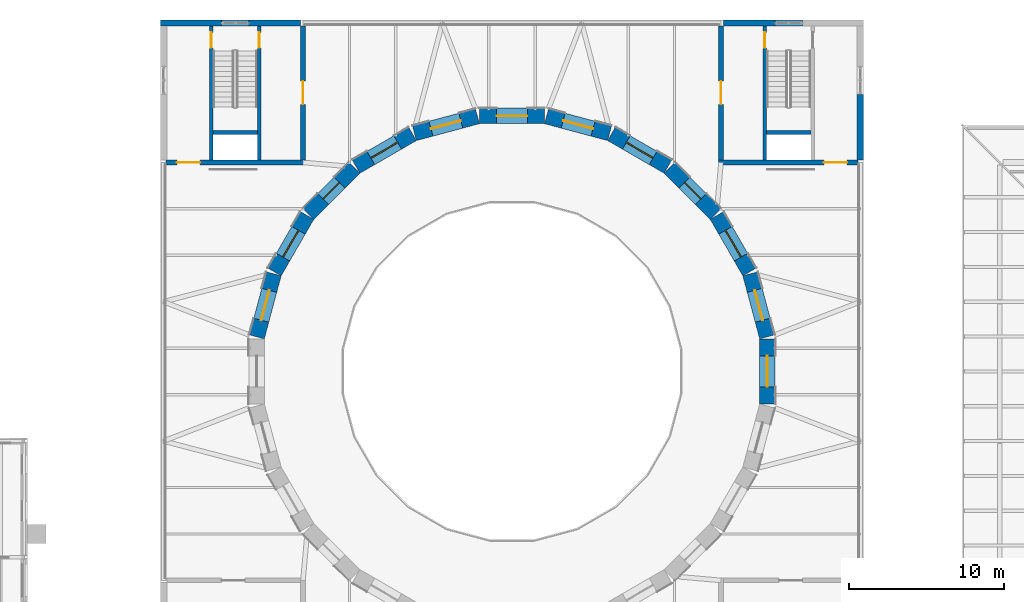
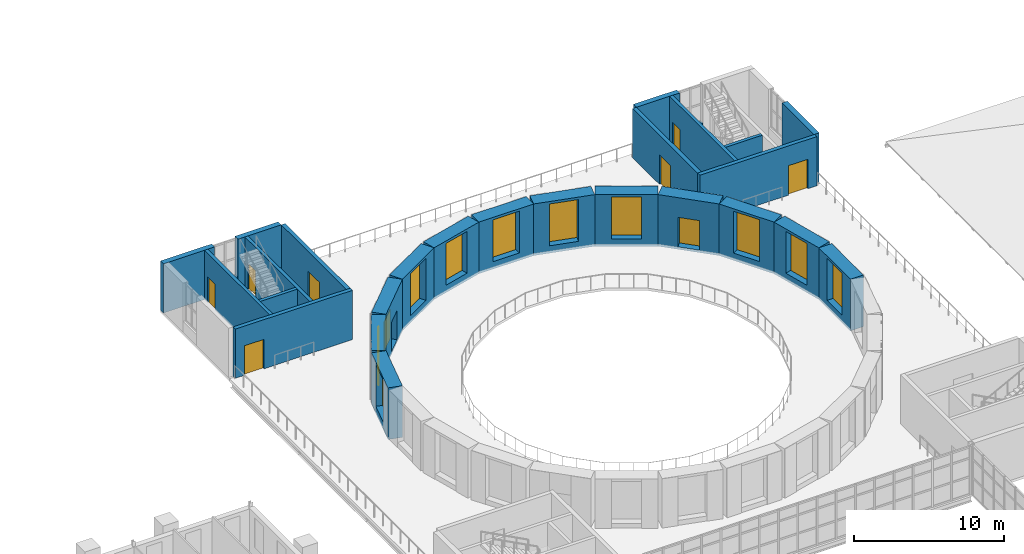
# One storey, part 115 of 154: 27 walls, 10 windows, 9 doors, 19 openings.
"""IFC4 building model written with IfcOpenShell, lengths in metres."""

from ifc_helpers import new_model, si_unit, direction, frame, frame_2d, origin, place, context, subcontext, project, spatial, rectangle, extrude, material, layer, layer_set, type_object, element, fill, save


model = new_model("IFC4")

# Units and contexts
model_context = context("Model", 3, precision=1e-05, world=origin(), true_north=direction((0.0, 1.0)))
body_context = subcontext(model_context, "Body", "Model", "MODEL_VIEW")
ifc_project = project(units=[si_unit("LENGTHUNIT", "METRE"), si_unit("AREAUNIT", "SQUARE_METRE"), si_unit("VOLUMEUNIT", "CUBIC_METRE"), si_unit("PLANEANGLEUNIT", "RADIAN"), si_unit("MASSUNIT", "GRAM", prefix="KILO")], contexts=[model_context])

# Site, building, storey
site_placement = place(None, origin())
site = spatial("IfcSite", under=ifc_project, at=site_placement, CompositionType="ELEMENT")
building_placement = place(site_placement, origin())
building = spatial("IfcBuilding", under=site, at=building_placement, Name="Golden Quay Civic Hall", CompositionType="ELEMENT")
storey_placement = place(building_placement, frame((0.0, 0.0, 14.39990234375)))
storey = spatial("IfcBuildingStorey", under=building, at=storey_placement, Name="L03", CompositionType="ELEMENT", Elevation=14.39990234375)

# Wall, opening, window
ifc_material_1 = material(Name="Concrete C40/50", Category="concrete")
ifc_layer_1 = layer(ifc_material_1, 1.0)
ifc_layer_set_1 = layer_set([ifc_layer_1], Name="Reinforced concrete drum wall 1000, Concrete C40/50")
wall_type_1 = type_object("IfcWallType", Name="Reinforced concrete drum wall 1000", PredefinedType="SHEAR", material=ifc_layer_set_1)
wall_1_placement = place(storey_placement, frame((101.98291015625, 87.73583984375, -0.199951171875), z_axis=(0.0, 0.0, 1.0), x_axis=(-0.258809467323, 0.965928392597, 0.0)))
wall_1 = element("IfcWall", 1, at=wall_1_placement, inside=storey, type_object=wall_type_1, Name="Council drum wall 1", PredefinedType="SHEAR", context=body_context, shape_type="SweptSolid", body=[
    extrude(rectangle(XDim=4.212890625, YDim=1.0, at=frame_2d((2.1064453125, 0.0))), origin(), (0.0, 0.0, 1.0), 4.199951171875),
])
opening_1_placement = place(wall_1_placement, frame((1.1064453125, 0.0, 0.60009765625)))
opening_1 = element("IfcOpeningElement", 2, at=opening_1_placement, cuts=wall_1, Name="Opening WN16", PredefinedType="OPENING", context=body_context, shape_type="SweptSolid", body=[
    extrude(rectangle(XDim=2.0, YDim=3.39990234375, at=frame_2d((1.0, 1.699951171875))), frame((0.0, 0.510009765625, 0.0), z_axis=(0.0, -1.0, 0.0), x_axis=(1.0, 0.0, 0.0)), (0.0, 0.0, 1.0), 1.02001953125),
])
ifc_material_2 = material(Name="Aluminium frame, double glazed", Category="aluminium")
window_type = type_object("IfcWindowType", Name="Drum window 2000 x 3400", PartitioningType="SINGLE_PANEL", PredefinedType="WINDOW", material=ifc_material_2)
window_1_placement = place(opening_1_placement, origin())
window_1 = element("IfcWindow", 3, at=window_1_placement, inside=storey, type_object=window_type, Name="Gallery window 1", OverallHeight=3.39990234375, OverallWidth=2.0, PartitioningType="SINGLE_PANEL", PredefinedType="WINDOW", context=body_context, shape_type="SweptSolid", body=[
    extrude(rectangle(XDim=2.0, YDim=3.39990234375, at=frame_2d((1.0, 1.699951171875))), frame((0.0, 0.030029296875, 0.0), z_axis=(0.0, -1.0, 0.0), x_axis=(1.0, 0.0, 0.0)), (0.0, 0.0, 1.0), 0.06005859375),
])
fill(opening_1, window_1)

wall_2_placement = place(storey_placement, frame((100.842529296875, 91.92578125, -0.199951171875), z_axis=(0.0, 0.0, 1.0), x_axis=(-0.500003371769, 0.866023457084, 0.0)))
wall_2 = element("IfcWall", 4, at=wall_2_placement, inside=storey, type_object=wall_type_1, Name="Council drum wall 2", PredefinedType="SHEAR", context=body_context, shape_type="SweptSolid", body=[
    extrude(rectangle(XDim=4.212890625, YDim=1.0, at=frame_2d((2.1064453125, 0.0))), origin(), (0.0, 0.0, 1.0), 4.199951171875),
])
opening_2_placement = place(wall_2_placement, frame((1.1064453125, 0.0, 0.60009765625)))
opening_2 = element("IfcOpeningElement", 5, at=opening_2_placement, cuts=wall_2, Name="Opening WN16", PredefinedType="OPENING", context=body_context, shape_type="SweptSolid", body=[
    extrude(rectangle(XDim=2.0, YDim=3.39990234375, at=frame_2d((1.0, 1.699951171875))), frame((0.0, 0.510009765625, 0.0), z_axis=(0.0, -1.0, 0.0), x_axis=(1.0, 0.0, 0.0)), (0.0, 0.0, 1.0), 1.02001953125),
])
window_2_placement = place(opening_2_placement, origin())
window_2 = element("IfcWindow", 6, at=window_2_placement, inside=storey, type_object=window_type, Name="Gallery window 2", OverallHeight=3.39990234375, OverallWidth=2.0, PartitioningType="SINGLE_PANEL", PredefinedType="WINDOW", context=body_context, shape_type="SweptSolid", body=[
    extrude(rectangle(XDim=2.0, YDim=3.39990234375, at=frame_2d((1.0, 1.699951171875))), frame((0.0, 0.030029296875, 0.0), z_axis=(0.0, -1.0, 0.0), x_axis=(1.0, 0.0, 0.0)), (0.0, 0.0, 1.0), 0.06005859375),
])
fill(opening_2, window_2)

# Wall, opening, door
wall_3_placement = place(storey_placement, frame((98.65673828125, 95.677734375, -0.199951171875), z_axis=(0.0, 0.0, 1.0), x_axis=(-0.707106781187, 0.707106781187, 0.0)))
wall_3 = element("IfcWall", 7, at=wall_3_placement, inside=storey, type_object=wall_type_1, Name="Council drum wall 3", PredefinedType="SHEAR", context=body_context, shape_type="SweptSolid", body=[
    extrude(rectangle(XDim=4.212890625, YDim=1.0, at=frame_2d((2.1064453125, 0.0))), origin(), (0.0, 0.0, 1.0), 4.199951171875),
])
opening_3_placement = place(wall_3_placement, frame((1.3564453125, 0.0, 0.199951171875)))
opening_3 = element("IfcOpeningElement", 8, at=opening_3_placement, cuts=wall_3, Name="Opening L03-D002", PredefinedType="OPENING", context=body_context, shape_type="SweptSolid", body=[
    extrude(rectangle(XDim=1.5, YDim=2.39990234375, at=frame_2d((0.75, 1.199951171875))), frame((0.0, 0.510009765625, 0.0), z_axis=(0.0, -1.0, 0.0), x_axis=(1.0, 0.0, 0.0)), (0.0, 0.0, 1.0), 1.02001953125),
])
ifc_material_3 = material(Name="Timber", Category="wood")
door_type_1 = type_object("IfcDoorType", Name="Timber chamber door 1500 x 2400", OperationType="DOUBLE_DOOR_SINGLE_SWING", PredefinedType="DOOR", material=ifc_material_3)
door_1_placement = place(opening_3_placement, frame((1.5, 0.0, 0.0), z_axis=(0.0, 0.0, 1.0), x_axis=(-1.0, 0.0, 0.0)))
door_1 = element("IfcDoor", 9, at=door_1_placement, inside=storey, type_object=door_type_1, Name="Gallery door", OperationType="DOUBLE_DOOR_SINGLE_SWING", OverallHeight=2.39990234375, OverallWidth=1.5, PredefinedType="DOOR", context=body_context, shape_type="SweptSolid", body=[
    extrude(rectangle(XDim=1.5, YDim=2.39990234375, at=frame_2d((0.75, 1.199951171875))), frame((0.0, 0.025146484375, 0.0), z_axis=(0.0, -1.0, 0.0), x_axis=(1.0, 0.0, 0.0)), (0.0, 0.0, 1.0), 0.050048828125),
])
fill(opening_3, door_1)

# Wall, opening, window
wall_4_placement = place(storey_placement, frame((95.57421875, 98.736083984375, -0.199951171875), z_axis=(0.0, 0.0, 1.0), x_axis=(-0.866023457084, 0.500003371769, 0.0)))
wall_4 = element("IfcWall", 10, at=wall_4_placement, inside=storey, type_object=wall_type_1, Name="Council drum wall 4", PredefinedType="SHEAR", context=body_context, shape_type="SweptSolid", body=[
    extrude(rectangle(XDim=4.212890625, YDim=1.0, at=frame_2d((2.1064453125, 0.0))), origin(), (0.0, 0.0, 1.0), 4.199951171875),
])
opening_4_placement = place(wall_4_placement, frame((1.1064453125, 0.0, 0.60009765625)))
opening_4 = element("IfcOpeningElement", 11, at=opening_4_placement, cuts=wall_4, Name="Opening WN16", PredefinedType="OPENING", context=body_context, shape_type="SweptSolid", body=[
    extrude(rectangle(XDim=2.0, YDim=3.39990234375, at=frame_2d((1.0, 1.699951171875))), frame((0.0, 0.510009765625, 0.0), z_axis=(0.0, -1.0, 0.0), x_axis=(1.0, 0.0, 0.0)), (0.0, 0.0, 1.0), 1.02001953125),
])
window_3_placement = place(opening_4_placement, origin())
window_3 = element("IfcWindow", 12, at=window_3_placement, inside=storey, type_object=window_type, Name="Gallery window 4", OverallHeight=3.39990234375, OverallWidth=2.0, PartitioningType="SINGLE_PANEL", PredefinedType="WINDOW", context=body_context, shape_type="SweptSolid", body=[
    extrude(rectangle(XDim=2.0, YDim=3.39990234375, at=frame_2d((1.0, 1.699951171875))), frame((0.0, 0.030029296875, 0.0), z_axis=(0.0, -1.0, 0.0), x_axis=(1.0, 0.0, 0.0)), (0.0, 0.0, 1.0), 0.06005859375),
])
fill(opening_4, window_3)

wall_5_placement = place(storey_placement, frame((91.80517578125, 100.892578125, -0.199951171875), z_axis=(0.0, 0.0, 1.0), x_axis=(-0.965928392597, 0.258809467323, 0.0)))
wall_5 = element("IfcWall", 13, at=wall_5_placement, inside=storey, type_object=wall_type_1, Name="Council drum wall 5", PredefinedType="SHEAR", context=body_context, shape_type="SweptSolid", body=[
    extrude(rectangle(XDim=4.212890625, YDim=1.0, at=frame_2d((2.1064453125, 0.0))), origin(), (0.0, 0.0, 1.0), 4.199951171875),
])
opening_5_placement = place(wall_5_placement, frame((1.1064453125, 0.0, 0.60009765625)))
opening_5 = element("IfcOpeningElement", 14, at=opening_5_placement, cuts=wall_5, Name="Opening WN16", PredefinedType="OPENING", context=body_context, shape_type="SweptSolid", body=[
    extrude(rectangle(XDim=2.0, YDim=3.39990234375, at=frame_2d((1.0, 1.699951171875))), frame((0.0, 0.510009765625, 0.0), z_axis=(0.0, -1.0, 0.0), x_axis=(1.0, 0.0, 0.0)), (0.0, 0.0, 1.0), 1.02001953125),
])
window_4_placement = place(opening_5_placement, origin())
window_4 = element("IfcWindow", 15, at=window_4_placement, inside=storey, type_object=window_type, Name="Gallery window 5", OverallHeight=3.39990234375, OverallWidth=2.0, PartitioningType="SINGLE_PANEL", PredefinedType="WINDOW", context=body_context, shape_type="SweptSolid", body=[
    extrude(rectangle(XDim=2.0, YDim=3.39990234375, at=frame_2d((1.0, 1.699951171875))), frame((0.0, 0.030029296875, 0.0), z_axis=(0.0, -1.0, 0.0), x_axis=(1.0, 0.0, 0.0)), (0.0, 0.0, 1.0), 0.06005859375),
])
fill(opening_5, window_4)

wall_6_placement = place(storey_placement, frame((87.6064453125, 102.0, -0.199951171875), z_axis=(0.0, 0.0, 1.0), x_axis=(-1.0, 0.0, 0.0)))
wall_6 = element("IfcWall", 16, at=wall_6_placement, inside=storey, type_object=wall_type_1, Name="Council drum wall 6", PredefinedType="SHEAR", context=body_context, shape_type="SweptSolid", body=[
    extrude(rectangle(XDim=4.212890625, YDim=1.0, at=frame_2d((2.1064453125, 0.0))), origin(), (0.0, 0.0, 1.0), 4.199951171875),
])
opening_6_placement = place(wall_6_placement, frame((1.1064453125, 0.0, 0.60009765625)))
opening_6 = element("IfcOpeningElement", 17, at=opening_6_placement, cuts=wall_6, Name="Opening WN16", PredefinedType="OPENING", context=body_context, shape_type="SweptSolid", body=[
    extrude(rectangle(XDim=2.0, YDim=3.39990234375, at=frame_2d((1.0, 1.699951171875))), frame((0.0, 0.510009765625, 0.0), z_axis=(0.0, -1.0, 0.0), x_axis=(1.0, 0.0, 0.0)), (0.0, 0.0, 1.0), 1.02001953125),
])
window_5_placement = place(opening_6_placement, origin())
window_5 = element("IfcWindow", 18, at=window_5_placement, inside=storey, type_object=window_type, Name="Gallery window 6", OverallHeight=3.39990234375, OverallWidth=2.0, PartitioningType="SINGLE_PANEL", PredefinedType="WINDOW", context=body_context, shape_type="SweptSolid", body=[
    extrude(rectangle(XDim=2.0, YDim=3.39990234375, at=frame_2d((1.0, 1.699951171875))), frame((0.0, 0.030029296875, 0.0), z_axis=(0.0, -1.0, 0.0), x_axis=(1.0, 0.0, 0.0)), (0.0, 0.0, 1.0), 0.06005859375),
])
fill(opening_6, window_5)

wall_7_placement = place(storey_placement, frame((83.26416015625, 101.98291015625, -0.199951171875), z_axis=(0.0, 0.0, 1.0), x_axis=(-0.965928392597, -0.258809467323, 0.0)))
wall_7 = element("IfcWall", 19, at=wall_7_placement, inside=storey, type_object=wall_type_1, Name="Council drum wall 7", PredefinedType="SHEAR", context=body_context, shape_type="SweptSolid", body=[
    extrude(rectangle(XDim=4.212890625, YDim=1.0, at=frame_2d((2.1064453125, 0.0))), origin(), (0.0, 0.0, 1.0), 4.199951171875),
])
opening_7_placement = place(wall_7_placement, frame((1.1064453125, 0.0, 0.60009765625)))
opening_7 = element("IfcOpeningElement", 20, at=opening_7_placement, cuts=wall_7, Name="Opening WN16", PredefinedType="OPENING", context=body_context, shape_type="SweptSolid", body=[
    extrude(rectangle(XDim=2.0, YDim=3.39990234375, at=frame_2d((1.0, 1.699951171875))), frame((0.0, 0.510009765625, 0.0), z_axis=(0.0, -1.0, 0.0), x_axis=(1.0, 0.0, 0.0)), (0.0, 0.0, 1.0), 1.02001953125),
])
window_6_placement = place(opening_7_placement, origin())
window_6 = element("IfcWindow", 21, at=window_6_placement, inside=storey, type_object=window_type, Name="Gallery window 7", OverallHeight=3.39990234375, OverallWidth=2.0, PartitioningType="SINGLE_PANEL", PredefinedType="WINDOW", context=body_context, shape_type="SweptSolid", body=[
    extrude(rectangle(XDim=2.0, YDim=3.39990234375, at=frame_2d((1.0, 1.699951171875))), frame((0.0, 0.030029296875, 0.0), z_axis=(0.0, -1.0, 0.0), x_axis=(1.0, 0.0, 0.0)), (0.0, 0.0, 1.0), 0.06005859375),
])
fill(opening_7, window_6)

wall_8_placement = place(storey_placement, frame((79.07421875, 100.842529296875, -0.199951171875), z_axis=(0.0, 0.0, 1.0), x_axis=(-0.866023457084, -0.500003371769, 0.0)))
wall_8 = element("IfcWall", 22, at=wall_8_placement, inside=storey, type_object=wall_type_1, Name="Council drum wall 8", PredefinedType="SHEAR", context=body_context, shape_type="SweptSolid", body=[
    extrude(rectangle(XDim=4.212890625, YDim=1.0, at=frame_2d((2.1064453125, 0.0))), origin(), (0.0, 0.0, 1.0), 4.199951171875),
])
opening_8_placement = place(wall_8_placement, frame((1.1064453125, 0.0, 0.60009765625)))
opening_8 = element("IfcOpeningElement", 23, at=opening_8_placement, cuts=wall_8, Name="Opening WN16", PredefinedType="OPENING", context=body_context, shape_type="SweptSolid", body=[
    extrude(rectangle(XDim=2.0, YDim=3.39990234375, at=frame_2d((1.0, 1.699951171875))), frame((0.0, 0.510009765625, 0.0), z_axis=(0.0, -1.0, 0.0), x_axis=(1.0, 0.0, 0.0)), (0.0, 0.0, 1.0), 1.02001953125),
])
window_7_placement = place(opening_8_placement, origin())
window_7 = element("IfcWindow", 24, at=window_7_placement, inside=storey, type_object=window_type, Name="Gallery window 8", OverallHeight=3.39990234375, OverallWidth=2.0, PartitioningType="SINGLE_PANEL", PredefinedType="WINDOW", context=body_context, shape_type="SweptSolid", body=[
    extrude(rectangle(XDim=2.0, YDim=3.39990234375, at=frame_2d((1.0, 1.699951171875))), frame((0.0, 0.030029296875, 0.0), z_axis=(0.0, -1.0, 0.0), x_axis=(1.0, 0.0, 0.0)), (0.0, 0.0, 1.0), 0.06005859375),
])
fill(opening_8, window_7)

# Wall, opening, door
wall_9_placement = place(storey_placement, frame((75.322265625, 98.65673828125, -0.199951171875), z_axis=(0.0, 0.0, 1.0), x_axis=(-0.707106781187, -0.707106781187, 0.0)))
wall_9 = element("IfcWall", 25, at=wall_9_placement, inside=storey, type_object=wall_type_1, Name="Council drum wall 9", PredefinedType="SHEAR", context=body_context, shape_type="SweptSolid", body=[
    extrude(rectangle(XDim=4.212890625, YDim=1.0, at=frame_2d((2.1064453125, 0.0))), origin(), (0.0, 0.0, 1.0), 4.199951171875),
])
opening_9_placement = place(wall_9_placement, frame((1.3564453125, 0.0, 0.199951171875)))
opening_9 = element("IfcOpeningElement", 26, at=opening_9_placement, cuts=wall_9, Name="Opening L03-D003", PredefinedType="OPENING", context=body_context, shape_type="SweptSolid", body=[
    extrude(rectangle(XDim=1.5, YDim=2.39990234375, at=frame_2d((0.75, 1.199951171875))), frame((0.0, 0.510009765625, 0.0), z_axis=(0.0, -1.0, 0.0), x_axis=(1.0, 0.0, 0.0)), (0.0, 0.0, 1.0), 1.02001953125),
])
door_2_placement = place(opening_9_placement, frame((1.5, 0.0, 0.0), z_axis=(0.0, 0.0, 1.0), x_axis=(-1.0, 0.0, 0.0)))
door_2 = element("IfcDoor", 27, at=door_2_placement, inside=storey, type_object=door_type_1, Name="Gallery door", OperationType="DOUBLE_DOOR_SINGLE_SWING", OverallHeight=2.39990234375, OverallWidth=1.5, PredefinedType="DOOR", context=body_context, shape_type="SweptSolid", body=[
    extrude(rectangle(XDim=1.5, YDim=2.39990234375, at=frame_2d((0.75, 1.199951171875))), frame((0.0, 0.025146484375, 0.0), z_axis=(0.0, -1.0, 0.0), x_axis=(1.0, 0.0, 0.0)), (0.0, 0.0, 1.0), 0.050048828125),
])
fill(opening_9, door_2)

# Wall, opening, window
wall_10_placement = place(storey_placement, frame((72.263916015625, 95.57421875, -0.199951171875), z_axis=(0.0, 0.0, 1.0), x_axis=(-0.500003371769, -0.866023457084, 0.0)))
wall_10 = element("IfcWall", 28, at=wall_10_placement, inside=storey, type_object=wall_type_1, Name="Council drum wall 10", PredefinedType="SHEAR", context=body_context, shape_type="SweptSolid", body=[
    extrude(rectangle(XDim=4.212890625, YDim=1.0, at=frame_2d((2.1064453125, 0.0))), origin(), (0.0, 0.0, 1.0), 4.199951171875),
])
opening_10_placement = place(wall_10_placement, frame((1.1064453125, 0.0, 0.60009765625)))
opening_10 = element("IfcOpeningElement", 29, at=opening_10_placement, cuts=wall_10, Name="Opening WN16", PredefinedType="OPENING", context=body_context, shape_type="SweptSolid", body=[
    extrude(rectangle(XDim=2.0, YDim=3.39990234375, at=frame_2d((1.0, 1.699951171875))), frame((0.0, 0.510009765625, 0.0), z_axis=(0.0, -1.0, 0.0), x_axis=(1.0, 0.0, 0.0)), (0.0, 0.0, 1.0), 1.02001953125),
])
window_8_placement = place(opening_10_placement, origin())
window_8 = element("IfcWindow", 30, at=window_8_placement, inside=storey, type_object=window_type, Name="Gallery window 10", OverallHeight=3.39990234375, OverallWidth=2.0, PartitioningType="SINGLE_PANEL", PredefinedType="WINDOW", context=body_context, shape_type="SweptSolid", body=[
    extrude(rectangle(XDim=2.0, YDim=3.39990234375, at=frame_2d((1.0, 1.699951171875))), frame((0.0, 0.030029296875, 0.0), z_axis=(0.0, -1.0, 0.0), x_axis=(1.0, 0.0, 0.0)), (0.0, 0.0, 1.0), 0.06005859375),
])
fill(opening_10, window_8)

wall_11_placement = place(storey_placement, frame((70.107421875, 91.80517578125, -0.199951171875), z_axis=(0.0, 0.0, 1.0), x_axis=(-0.258809467323, -0.965928392597, 0.0)))
wall_11 = element("IfcWall", 31, at=wall_11_placement, inside=storey, type_object=wall_type_1, Name="Council drum wall 11", PredefinedType="SHEAR", context=body_context, shape_type="SweptSolid", body=[
    extrude(rectangle(XDim=4.212890625, YDim=1.0, at=frame_2d((2.1064453125, 0.0))), origin(), (0.0, 0.0, 1.0), 4.199951171875),
])
opening_11_placement = place(wall_11_placement, frame((1.1064453125, 0.0, 0.60009765625)))
opening_11 = element("IfcOpeningElement", 32, at=opening_11_placement, cuts=wall_11, Name="Opening WN16", PredefinedType="OPENING", context=body_context, shape_type="SweptSolid", body=[
    extrude(rectangle(XDim=2.0, YDim=3.39990234375, at=frame_2d((1.0, 1.699951171875))), frame((0.0, 0.510009765625, 0.0), z_axis=(0.0, -1.0, 0.0), x_axis=(1.0, 0.0, 0.0)), (0.0, 0.0, 1.0), 1.02001953125),
])
window_9_placement = place(opening_11_placement, origin())
window_9 = element("IfcWindow", 33, at=window_9_placement, inside=storey, type_object=window_type, Name="Gallery window 11", OverallHeight=3.39990234375, OverallWidth=2.0, PartitioningType="SINGLE_PANEL", PredefinedType="WINDOW", context=body_context, shape_type="SweptSolid", body=[
    extrude(rectangle(XDim=2.0, YDim=3.39990234375, at=frame_2d((1.0, 1.699951171875))), frame((0.0, 0.030029296875, 0.0), z_axis=(0.0, -1.0, 0.0), x_axis=(1.0, 0.0, 0.0)), (0.0, 0.0, 1.0), 0.06005859375),
])
fill(opening_11, window_9)

wall_12_placement = place(storey_placement, frame((102.0, 83.3935546875, -0.199951171875), z_axis=(0.0, 0.0, 1.0), x_axis=(0.0, 1.0, 0.0)))
wall_12 = element("IfcWall", 34, at=wall_12_placement, inside=storey, type_object=wall_type_1, Name="Council drum wall 24", PredefinedType="SHEAR", context=body_context, shape_type="SweptSolid", body=[
    extrude(rectangle(XDim=4.212890625, YDim=1.0, at=frame_2d((2.1064453125, 0.0))), origin(), (0.0, 0.0, 1.0), 4.199951171875),
])
opening_12_placement = place(wall_12_placement, frame((1.1064453125, 0.0, 0.60009765625)))
opening_12 = element("IfcOpeningElement", 35, at=opening_12_placement, cuts=wall_12, Name="Opening WN16", PredefinedType="OPENING", context=body_context, shape_type="SweptSolid", body=[
    extrude(rectangle(XDim=2.0, YDim=3.39990234375, at=frame_2d((1.0, 1.699951171875))), frame((0.0, 0.510009765625, 0.0), z_axis=(0.0, -1.0, 0.0), x_axis=(1.0, 0.0, 0.0)), (0.0, 0.0, 1.0), 1.02001953125),
])
window_10_placement = place(opening_12_placement, origin())
window_10 = element("IfcWindow", 36, at=window_10_placement, inside=storey, type_object=window_type, Name="Gallery window 24", OverallHeight=3.39990234375, OverallWidth=2.0, PartitioningType="SINGLE_PANEL", PredefinedType="WINDOW", context=body_context, shape_type="SweptSolid", body=[
    extrude(rectangle(XDim=2.0, YDim=3.39990234375, at=frame_2d((1.0, 1.699951171875))), frame((0.0, 0.030029296875, 0.0), z_axis=(0.0, -1.0, 0.0), x_axis=(1.0, 0.0, 0.0)), (0.0, 0.0, 1.0), 0.06005859375),
])
fill(opening_12, window_10)

# Wall, opening, door
ifc_material_4 = material(Name="Concrete C40/50", Category="concrete")
ifc_layer_2 = layer(ifc_material_4, 0.300048828125)
ifc_layer_set_2 = layer_set([ifc_layer_2], Name="Reinforced concrete pocket wall 300, Concrete C40/50")
wall_type_2 = type_object("IfcWallType", Name="Reinforced concrete pocket wall 300", PredefinedType="SHEAR", material=ifc_layer_set_2)
wall_13_placement = place(storey_placement, frame((63.14990234375, 99.0, 0.0), z_axis=(0.0, 0.0, 1.0), x_axis=(1.0, 0.0, 0.0)))
wall_13 = element("IfcWall", 37, at=wall_13_placement, inside=storey, type_object=wall_type_2, Name="Core wall NW A", PredefinedType="SHEAR", context=body_context, shape_type="SweptSolid", body=[
    extrude(rectangle(XDim=9.0, YDim=0.300048828125, at=frame_2d((4.5, 0.0))), origin(), (0.0, 0.0, 1.0), 4.0),
])
opening_13_placement = place(wall_13_placement, frame((0.699951171875, 0.0, 0.0)))
opening_13 = element("IfcOpeningElement", 38, at=opening_13_placement, cuts=wall_13, Name="Opening L03-D137", PredefinedType="OPENING", context=body_context, shape_type="SweptSolid", body=[
    extrude(rectangle(XDim=1.5, YDim=2.39990234375, at=frame_2d((0.75, 1.199951171875))), frame((0.0, 0.159912109375, 0.0), z_axis=(0.0, -1.0, 0.0), x_axis=(1.0, 0.0, 0.0)), (0.0, 0.0, 1.0), 0.320068359375),
])
ifc_material_5 = material(Name="Steel", Category="steel")
door_type_2 = type_object("IfcDoorType", Name="Steel double fire door FD60 1500 x 2400", OperationType="DOUBLE_DOOR_SINGLE_SWING", PredefinedType="DOOR", material=ifc_material_5)
door_3_placement = place(opening_13_placement, frame((1.5, 0.0, 0.0), z_axis=(0.0, 0.0, 1.0), x_axis=(-1.0, 0.0, 0.0)))
door_3 = element("IfcDoor", 39, at=door_3_placement, inside=storey, type_object=door_type_2, Name="Gallery lobby door NW 1", OperationType="DOUBLE_DOOR_SINGLE_SWING", OverallHeight=2.39990234375, OverallWidth=1.5, PredefinedType="DOOR", context=body_context, shape_type="SweptSolid", body=[
    extrude(rectangle(XDim=1.5, YDim=2.39990234375, at=frame_2d((0.75, 1.199951171875))), frame((0.0, 0.025146484375, 0.0), z_axis=(0.0, -1.0, 0.0), x_axis=(1.0, 0.0, 0.0)), (0.0, 0.0, 1.0), 0.050048828125),
])
fill(opening_13, door_3)

wall_14_placement = place(storey_placement, frame((72.0, 107.800048828125, 0.0), z_axis=(0.0, 0.0, 1.0), x_axis=(0.0, -1.0, 0.0)))
wall_14 = element("IfcWall", 40, at=wall_14_placement, inside=storey, type_object=wall_type_2, Name="Core wall NW B", PredefinedType="SHEAR", context=body_context, shape_type="SweptSolid", body=[
    extrude(rectangle(XDim=8.650146484375, YDim=0.300048828125, at=frame_2d((4.3251953125, 0.0))), origin(), (0.0, 0.0, 1.0), 4.0),
])
opening_14_placement = place(wall_14_placement, frame((3.550048828125, 0.0, 0.0)))
opening_14 = element("IfcOpeningElement", 41, at=opening_14_placement, cuts=wall_14, Name="Opening L03-D138", PredefinedType="OPENING", context=body_context, shape_type="SweptSolid", body=[
    extrude(rectangle(XDim=1.5, YDim=2.39990234375, at=frame_2d((0.75, 1.199951171875))), frame((0.0, 0.159912109375, 0.0), z_axis=(0.0, -1.0, 0.0), x_axis=(1.0, 0.0, 0.0)), (0.0, 0.0, 1.0), 0.320068359375),
])
door_4_placement = place(opening_14_placement, origin())
door_4 = element("IfcDoor", 42, at=door_4_placement, inside=storey, type_object=door_type_2, Name="Gallery lobby door NW 2", OperationType="DOUBLE_DOOR_SINGLE_SWING", OverallHeight=2.39990234375, OverallWidth=1.5, PredefinedType="DOOR", context=body_context, shape_type="SweptSolid", body=[
    extrude(rectangle(XDim=1.5, YDim=2.39990234375, at=frame_2d((0.75, 1.199951171875))), frame((0.0, 0.02490234375, 0.0), z_axis=(0.0, -1.0, 0.0), x_axis=(1.0, 0.0, 0.0)), (0.0, 0.0, 1.0), 0.050048828125),
])
fill(opening_14, door_4)

wall_15_placement = place(storey_placement, frame((107.85009765625, 99.0, 0.0), z_axis=(0.0, 0.0, 1.0), x_axis=(-1.0, 0.0, 0.0)))
wall_15 = element("IfcWall", 43, at=wall_15_placement, inside=storey, type_object=wall_type_2, Name="Core wall NE A", PredefinedType="SHEAR", context=body_context, shape_type="SweptSolid", body=[
    extrude(rectangle(XDim=9.0, YDim=0.300048828125, at=frame_2d((4.5, 0.0))), origin(), (0.0, 0.0, 1.0), 4.0),
])
opening_15_placement = place(wall_15_placement, frame((0.699951171875, 0.0, 0.0)))
opening_15 = element("IfcOpeningElement", 44, at=opening_15_placement, cuts=wall_15, Name="Opening L03-D141", PredefinedType="OPENING", context=body_context, shape_type="SweptSolid", body=[
    extrude(rectangle(XDim=1.5, YDim=2.39990234375, at=frame_2d((0.75, 1.199951171875))), frame((0.0, 0.159912109375, 0.0), z_axis=(0.0, -1.0, 0.0), x_axis=(1.0, 0.0, 0.0)), (0.0, 0.0, 1.0), 0.320068359375),
])
door_5_placement = place(opening_15_placement, origin())
door_5 = element("IfcDoor", 45, at=door_5_placement, inside=storey, type_object=door_type_2, Name="Gallery lobby door NE 1", OperationType="DOUBLE_DOOR_SINGLE_SWING", OverallHeight=2.39990234375, OverallWidth=1.5, PredefinedType="DOOR", context=body_context, shape_type="SweptSolid", body=[
    extrude(rectangle(XDim=1.5, YDim=2.39990234375, at=frame_2d((0.75, 1.199951171875))), frame((0.0, 0.02490234375, 0.0), z_axis=(0.0, -1.0, 0.0), x_axis=(1.0, 0.0, 0.0)), (0.0, 0.0, 1.0), 0.050048828125),
])
fill(opening_15, door_5)

wall_16_placement = place(storey_placement, frame((99.0, 107.800048828125, 0.0), z_axis=(0.0, 0.0, 1.0), x_axis=(0.0, -1.0, 0.0)))
wall_16 = element("IfcWall", 46, at=wall_16_placement, inside=storey, type_object=wall_type_2, Name="Core wall NE B", PredefinedType="SHEAR", context=body_context, shape_type="SweptSolid", body=[
    extrude(rectangle(XDim=8.650146484375, YDim=0.300048828125, at=frame_2d((4.3251953125, 0.0))), origin(), (0.0, 0.0, 1.0), 4.0),
])
opening_16_placement = place(wall_16_placement, frame((3.550048828125, 0.0, 0.0)))
opening_16 = element("IfcOpeningElement", 47, at=opening_16_placement, cuts=wall_16, Name="Opening L03-D142", PredefinedType="OPENING", context=body_context, shape_type="SweptSolid", body=[
    extrude(rectangle(XDim=1.5, YDim=2.39990234375, at=frame_2d((0.75, 1.199951171875))), frame((0.0, 0.159912109375, 0.0), z_axis=(0.0, -1.0, 0.0), x_axis=(1.0, 0.0, 0.0)), (0.0, 0.0, 1.0), 0.320068359375),
])
door_6_placement = place(opening_16_placement, frame((1.5, 0.0, 0.0), z_axis=(0.0, 0.0, 1.0), x_axis=(-1.0, 0.0, 0.0)))
door_6 = element("IfcDoor", 48, at=door_6_placement, inside=storey, type_object=door_type_2, Name="Gallery lobby door NE 2", OperationType="DOUBLE_DOOR_SINGLE_SWING", OverallHeight=2.39990234375, OverallWidth=1.5, PredefinedType="DOOR", context=body_context, shape_type="SweptSolid", body=[
    extrude(rectangle(XDim=1.5, YDim=2.39990234375, at=frame_2d((0.75, 1.199951171875))), frame((0.0, 0.025146484375, 0.0), z_axis=(0.0, -1.0, 0.0), x_axis=(1.0, 0.0, 0.0)), (0.0, 0.0, 1.0), 0.050048828125),
])
fill(opening_16, door_6)

ifc_material_6 = material(Name="Concrete C40/50", Category="concrete")
ifc_layer_3 = layer(ifc_material_6, 0.25)
ifc_layer_set_3 = layer_set([ifc_layer_3], Name="Reinforced concrete shaft wall 250, Concrete C40/50")
wall_type_3 = type_object("IfcWallType", Name="Reinforced concrete shaft wall 250", PredefinedType="SHEAR", material=ifc_layer_set_3)
wall_17_placement = place(storey_placement, frame((66.074951171875, 107.800048828125, 0.0), z_axis=(0.0, 0.0, 1.0), x_axis=(0.0, -1.0, 0.0)))
wall_17 = element("IfcWall", 49, at=wall_17_placement, inside=storey, type_object=wall_type_3, Name="Shaft wall NW 1", PredefinedType="SHEAR", context=body_context, shape_type="SweptSolid", body=[
    extrude(rectangle(XDim=8.650146484375, YDim=0.25, at=frame_2d((4.3251953125, 0.0))), origin(), (0.0, 0.0, 1.0), 4.0),
])
opening_17_placement = place(wall_17_placement, frame((0.39990234375, 0.0, 0.0)))
opening_17 = element("IfcOpeningElement", 50, at=opening_17_placement, cuts=wall_17, Name="Opening L03-D136", PredefinedType="OPENING", context=body_context, shape_type="SweptSolid", body=[
    extrude(rectangle(XDim=1.0, YDim=2.10009765625, at=frame_2d((0.5, 1.050048828125))), frame((0.0, 0.135009765625, 0.0), z_axis=(0.0, -1.0, 0.0), x_axis=(1.0, 0.0, 0.0)), (0.0, 0.0, 1.0), 0.27001953125),
])
ifc_material_7 = material(Name="Steel", Category="steel")
door_type_3 = type_object("IfcDoorType", Name="Steel fire door FD60 1100 x 2100", OperationType="SINGLE_SWING_LEFT", PredefinedType="DOOR", material=ifc_material_7)
door_7_placement = place(opening_17_placement, origin())
door_7 = element("IfcDoor", 51, at=door_7_placement, inside=storey, type_object=door_type_3, Name="Stair door NW", OperationType="SINGLE_SWING_LEFT", OverallHeight=2.10009765625, OverallWidth=1.0, PredefinedType="DOOR", context=body_context, shape_type="SweptSolid", body=[
    extrude(rectangle(XDim=1.0, YDim=2.10009765625, at=frame_2d((0.5, 1.050048828125))), frame((0.0, 0.02490234375, 0.0), z_axis=(0.0, -1.0, 0.0), x_axis=(1.0, 0.0, 0.0)), (0.0, 0.0, 1.0), 0.050048828125),
])
fill(opening_17, door_7)

wall_18_placement = place(storey_placement, frame((69.175048828125, 107.800048828125, 0.0), z_axis=(0.0, 0.0, 1.0), x_axis=(0.0, -1.0, 0.0)))
wall_18 = element("IfcWall", 52, at=wall_18_placement, inside=storey, type_object=wall_type_3, Name="Shaft wall NW 2", PredefinedType="SHEAR", context=body_context, shape_type="SweptSolid", body=[
    extrude(rectangle(XDim=8.650146484375, YDim=0.25, at=frame_2d((4.3251953125, 0.0))), origin(), (0.0, 0.0, 1.0), 4.0),
])
opening_18_placement = place(wall_18_placement, frame((0.39990234375, 0.0, 0.0)))
opening_18 = element("IfcOpeningElement", 53, at=opening_18_placement, cuts=wall_18, Name="Opening L03-D139", PredefinedType="OPENING", context=body_context, shape_type="SweptSolid", body=[
    extrude(rectangle(XDim=1.0, YDim=2.10009765625, at=frame_2d((0.5, 1.050048828125))), frame((0.0, 0.135009765625, 0.0), z_axis=(0.0, -1.0, 0.0), x_axis=(1.0, 0.0, 0.0)), (0.0, 0.0, 1.0), 0.27001953125),
])
door_8_placement = place(opening_18_placement, frame((1.0, 0.0, 0.0), z_axis=(0.0, 0.0, 1.0), x_axis=(-1.0, 0.0, 0.0)))
door_8 = element("IfcDoor", 54, at=door_8_placement, inside=storey, type_object=door_type_3, Name="Stair door NW north", OperationType="SINGLE_SWING_RIGHT", OverallHeight=2.10009765625, OverallWidth=1.0, PredefinedType="DOOR", context=body_context, shape_type="SweptSolid", body=[
    extrude(rectangle(XDim=1.0, YDim=2.10009765625, at=frame_2d((0.5, 1.050048828125))), frame((0.0, 0.025146484375, 0.0), z_axis=(0.0, -1.0, 0.0), x_axis=(1.0, 0.0, 0.0)), (0.0, 0.0, 1.0), 0.050048828125),
])
fill(opening_18, door_8)

# Wall
wall_19_placement = place(storey_placement, frame((66.199951171875, 100.925048828125, 0.0), z_axis=(0.0, 0.0, 1.0), x_axis=(1.0, 0.0, 0.0)))
element("IfcWall", 55, at=wall_19_placement, inside=storey, type_object=wall_type_3, Name="Shaft wall NW 3", PredefinedType="SHEAR", context=body_context, shape_type="SweptSolid", body=[
    extrude(rectangle(XDim=2.85009765625, YDim=0.25, at=frame_2d((1.425048828125, 0.0))), origin(), (0.0, 0.0, 1.0), 4.0),
])

# Wall, opening, door
wall_20_placement = place(storey_placement, frame((101.824951171875, 107.800048828125, 0.0), z_axis=(0.0, 0.0, 1.0), x_axis=(0.0, -1.0, 0.0)))
wall_20 = element("IfcWall", 56, at=wall_20_placement, inside=storey, type_object=wall_type_3, Name="Shaft wall NE 2", PredefinedType="SHEAR", context=body_context, shape_type="SweptSolid", body=[
    extrude(rectangle(XDim=8.650146484375, YDim=0.25, at=frame_2d((4.3251953125, 0.0))), origin(), (0.0, 0.0, 1.0), 4.0),
])
opening_19_placement = place(wall_20_placement, frame((0.39990234375, 0.0, 0.0)))
opening_19 = element("IfcOpeningElement", 57, at=opening_19_placement, cuts=wall_20, Name="Opening L03-D143", PredefinedType="OPENING", context=body_context, shape_type="SweptSolid", body=[
    extrude(rectangle(XDim=1.0, YDim=2.10009765625, at=frame_2d((0.5, 1.050048828125))), frame((0.0, 0.135009765625, 0.0), z_axis=(0.0, -1.0, 0.0), x_axis=(1.0, 0.0, 0.0)), (0.0, 0.0, 1.0), 0.27001953125),
])
door_9_placement = place(opening_19_placement, origin())
door_9 = element("IfcDoor", 58, at=door_9_placement, inside=storey, type_object=door_type_3, Name="Stair door NE north", OperationType="SINGLE_SWING_LEFT", OverallHeight=2.10009765625, OverallWidth=1.0, PredefinedType="DOOR", context=body_context, shape_type="SweptSolid", body=[
    extrude(rectangle(XDim=1.0, YDim=2.10009765625, at=frame_2d((0.5, 1.050048828125))), frame((0.0, 0.02490234375, 0.0), z_axis=(0.0, -1.0, 0.0), x_axis=(1.0, 0.0, 0.0)), (0.0, 0.0, 1.0), 0.050048828125),
])
fill(opening_19, door_9)

# Walls
wall_21_placement = place(storey_placement, frame((104.800048828125, 100.925048828125, 0.0), z_axis=(0.0, 0.0, 1.0), x_axis=(-1.0, 0.0, 0.0)))
element("IfcWall", 59, at=wall_21_placement, inside=storey, type_object=wall_type_3, Name="Shaft wall NE 3", PredefinedType="SHEAR", context=body_context, shape_type="SweptSolid", body=[
    extrude(rectangle(XDim=2.85009765625, YDim=0.25, at=frame_2d((1.425048828125, 0.0))), origin(), (0.0, 0.0, 1.0), 4.0),
])
ifc_material_8 = material(Name="Brick masonry with render", Category="masonry")
ifc_layer_4 = layer(ifc_material_8, 0.39990234375)
ifc_layer_set_4 = layer_set([ifc_layer_4], Name="Rendered brick external wall 400 fire EI 120")
wall_type_4 = type_object("IfcWallType", Name="Rendered brick external wall 400 fire EI 120", PredefinedType="STANDARD", material=ifc_layer_set_4)
wall_22_placement = place(storey_placement, frame((62.800048828125, 108.0, 0.0), z_axis=(0.0, 0.0, 1.0), x_axis=(1.0, 0.0, 0.0)))
element("IfcWall", 60, at=wall_22_placement, inside=storey, type_object=wall_type_4, Name="Pocket wall NW 1", PredefinedType="STANDARD", context=body_context, shape_type="SweptSolid", body=[
    extrude(rectangle(XDim=3.925048828125, YDim=0.39990234375, at=frame_2d((1.96240234375, 0.0))), origin(), (0.0, 0.0, 1.0), 4.0),
])
wall_23_placement = place(storey_placement, frame((68.52490234375, 108.0, 0.0), z_axis=(0.0, 0.0, 1.0), x_axis=(1.0, 0.0, 0.0)))
element("IfcWall", 61, at=wall_23_placement, inside=storey, type_object=wall_type_4, Name="Pocket wall NW 1 (beyond the bay)", PredefinedType="STANDARD", context=body_context, shape_type="SweptSolid", body=[
    extrude(rectangle(XDim=3.3251953125, YDim=0.39990234375, at=frame_2d((1.66259765625, 0.0))), origin(), (0.0, 0.0, 1.0), 4.0),
])
wall_24_placement = place(storey_placement, frame((66.72509765625, 108.0, 0.0), z_axis=(0.0, 0.0, 1.0), x_axis=(1.0, 0.0, 0.0)))
element("IfcWall", 62, at=wall_24_placement, inside=storey, type_object=wall_type_4, Name="Pocket wall NW 1 sill", PredefinedType="STANDARD", context=body_context, shape_type="SweptSolid", body=[
    extrude(rectangle(XDim=1.7998046875, YDim=0.39990234375, at=frame_2d((0.89990234375, 0.0))), origin(), (0.0, 0.0, 1.0), 0.900146484375),
])
wall_25_placement = place(storey_placement, frame((99.14990234375, 108.0, 0.0), z_axis=(0.0, 0.0, 1.0), x_axis=(1.0, 0.0, 0.0)))
element("IfcWall", 63, at=wall_25_placement, inside=storey, type_object=wall_type_4, Name="Pocket wall NE 1", PredefinedType="STANDARD", context=body_context, shape_type="SweptSolid", body=[
    extrude(rectangle(XDim=3.3251953125, YDim=0.39990234375, at=frame_2d((1.66259765625, 0.0))), origin(), (0.0, 0.0, 1.0), 4.0),
])
wall_26_placement = place(storey_placement, frame((102.47509765625, 108.0, 0.0), z_axis=(0.0, 0.0, 1.0), x_axis=(1.0, 0.0, 0.0)))
element("IfcWall", 64, at=wall_26_placement, inside=storey, type_object=wall_type_4, Name="Pocket wall NE 1 sill", PredefinedType="STANDARD", context=body_context, shape_type="SweptSolid", body=[
    extrude(rectangle(XDim=1.7998046875, YDim=0.39990234375, at=frame_2d((0.89990234375, 0.0))), origin(), (0.0, 0.0, 1.0), 0.900146484375),
])
wall_27_placement = place(storey_placement, frame((108.0, 99.14990234375, 0.0), z_axis=(0.0, 0.0, 1.0), x_axis=(0.0, 1.0, 0.0)))
element("IfcWall", 65, at=wall_27_placement, inside=storey, type_object=wall_type_4, Name="Pocket wall NE 2", PredefinedType="STANDARD", context=body_context, shape_type="SweptSolid", body=[
    extrude(rectangle(XDim=4.25, YDim=0.39990234375, at=frame_2d((2.125, 0.0))), origin(), (0.0, 0.0, 1.0), 4.0),
])

save(model, "model.ifc")
